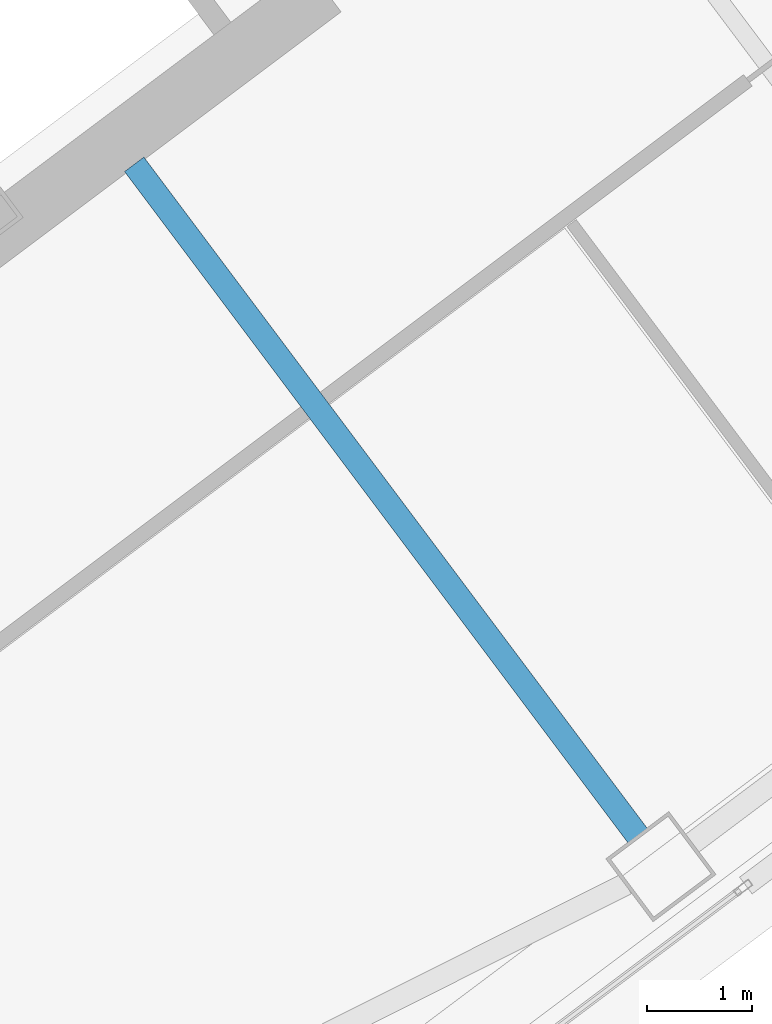
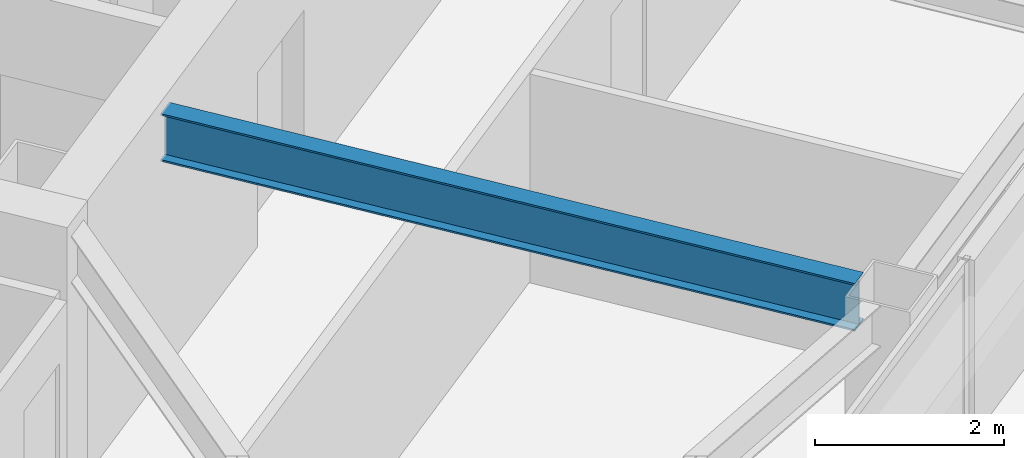
# One storey, part 20 of 43: 1 beam.
"""IFC4 building model written with IfcOpenShell, lengths in metres."""

import ifcopenshell
import ifcopenshell.guid

model = None  # the IFC model being written
_history = None  # IfcOwnerHistory: only IFC2X3 demands one
_inside = {}  # id of a spatial element -> (the spatial element, [elements in it])
_under = {}  # id of a project, library or spatial element -> (it, [spatial elements below it])
_declared = {}  # id of a project -> (the project, [libraries it declares])
_typed = {}  # id of a type object -> (the type object, [elements of that type])
_made_of = {}  # id of a material, layer set ... -> (it, [elements and type objects made of it])


def new_model(schema):
    """Start an empty IFC model of exactly this schema.

    Asked for "IFC4X3", IfcOpenShell would pick the latest addendum, in which some entities
    have other attributes; the version numbers below select the first issue.
    IFC2X3 requires an IfcOwnerHistory on every rooted entity: one is made here for all.
    """
    global model, _history
    if schema == "IFC4X3":
        model = ifcopenshell.file(schema_version=(4, 3, 0, 0))
    else:
        model = ifcopenshell.file(schema=schema)
    _inside.clear()
    _under.clear()
    _declared.clear()
    _typed.clear()
    _made_of.clear()
    _history = None
    if model.schema == "IFC2X3":
        org = make("IfcOrganization", Name="unknown")
        user = make(
            "IfcPersonAndOrganization",
            ThePerson=make("IfcPerson", FamilyName="unknown"),
            TheOrganization=org,
        )
        app = make(
            "IfcApplication",
            ApplicationDeveloper=org,
            Version="unknown",
            ApplicationFullName="unknown",
            ApplicationIdentifier="unknown",
        )
        _history = make(
            "IfcOwnerHistory",
            OwningUser=user,
            OwningApplication=app,
            ChangeAction="ADDED",
            CreationDate=0,
        )
    return model


def make(cls, **values):
    """One entity of the class cls with the attributes given. An attribute that is None is left unset."""
    return model.create_entity(
        cls, **{name: value for name, value in values.items() if value is not None}
    )


def rooted(cls, **values):
    """An entity with a GlobalId (a new one), such as an element, a storey or a relation."""
    return make(cls, GlobalId=ifcopenshell.guid.new(), OwnerHistory=_history, **values)


def si_unit(unit_type, name, prefix=None):
    """IfcSIUnit, for example si_unit("LENGTHUNIT", "METRE", prefix="MILLI")."""
    return make("IfcSIUnit", UnitType=unit_type, Prefix=prefix, Name=name)


def assignment(units):
    """IfcUnitAssignment: the units of a project."""
    return None if units is None else make("IfcUnitAssignment", Units=units)


def point(xyz):
    """IfcCartesianPoint."""
    return None if xyz is None else make("IfcCartesianPoint", Coordinates=xyz)


def direction(xyz):
    """IfcDirection."""
    return None if xyz is None else make("IfcDirection", DirectionRatios=xyz)


def frame(location, z_axis=None, x_axis=None):
    """IfcAxis2Placement3D, a coordinate frame: its origin and axes. An axis left out is left unset."""
    return make(
        "IfcAxis2Placement3D",
        Location=point(location),
        Axis=direction(z_axis),
        RefDirection=direction(x_axis),
    )


def frame_2d(location, x_axis=None):
    """IfcAxis2Placement2D, a coordinate frame in the plane: its origin and x axis."""
    return make(
        "IfcAxis2Placement2D", Location=point(location), RefDirection=direction(x_axis)
    )


def origin():
    """The frame at (0, 0, 0) with its axes left unset."""
    return frame((0.0, 0.0, 0.0))


def origin_2d():
    """The frame at (0, 0) in the plane with its x axis left unset."""
    return frame_2d((0.0, 0.0))


def place(relative_to, where):
    """IfcLocalPlacement: puts the frame where relative to a parent placement (None: the world)."""
    return make(
        "IfcLocalPlacement", PlacementRelTo=relative_to, RelativePlacement=where
    )


def context(
    kind, dimensions, precision=None, world=None, true_north=None, identifier=None
):
    """IfcGeometricRepresentationContext, for example the 3D "Model" context."""
    return make(
        "IfcGeometricRepresentationContext",
        ContextIdentifier=identifier,
        ContextType=kind,
        CoordinateSpaceDimension=dimensions,
        Precision=precision,
        WorldCoordinateSystem=world,
        TrueNorth=true_north,
    )


def subcontext(parent, identifier, kind, view, scale=None):
    """IfcGeometricRepresentationSubContext, for example "Body" below "Model"."""
    return make(
        "IfcGeometricRepresentationSubContext",
        ContextIdentifier=identifier,
        ContextType=kind,
        ParentContext=parent,
        TargetScale=scale,
        TargetView=view,
    )


def project(units=None, contexts=None):
    """IfcProject with its units and contexts."""
    return rooted(
        "IfcProject",
        Name="project",
        RepresentationContexts=contexts,
        UnitsInContext=assignment(units),
    )


def spatial(cls, under=None, at=None, **own):
    """A site, building, storey or space (cls), placed at a placement, below another one or the project."""
    s = rooted(cls, ObjectPlacement=at, **own)
    if under is not None:
        _under.setdefault(under.id(), (under, []))[1].append(s)
    return s


def profile(cls, at=None, kind="AREA", **sizes):
    """A parametric profile (cls). Its sizes go by their IFC names, for example OverallWidth=200.0."""
    return make(cls, ProfileType=kind, Position=at, **sizes)


def i_section(**sizes):
    """IfcIShapeProfileDef."""
    return profile("IfcIShapeProfileDef", **sizes)


def extrude(swept, where, along, depth):
    """IfcExtrudedAreaSolid: the profile swept, set in the frame where, extruded along a direction by depth."""
    return make(
        "IfcExtrudedAreaSolid",
        SweptArea=swept,
        Position=where,
        ExtrudedDirection=direction(along),
        Depth=depth,
    )


def shape(context_of_items, identifier, shape_type, items):
    """IfcShapeRepresentation: the items that make up one representation, for example the "Body"."""
    return make(
        "IfcShapeRepresentation",
        ContextOfItems=context_of_items,
        RepresentationIdentifier=identifier,
        RepresentationType=shape_type,
        Items=items,
    )


def material(Name=None, Category=None):
    """IfcMaterial."""
    return make("IfcMaterial", Name=Name, Category=Category)


def material_profile(
    of_material, cross_section, Name=None, Category=None, Priority=None
):
    """IfcMaterialProfile: a cross section and its material."""
    return make(
        "IfcMaterialProfile",
        Name=Name,
        Material=of_material,
        Profile=cross_section,
        Priority=Priority,
        Category=Category,
    )


def profile_set(profiles, Name=None, composite=None):
    """IfcMaterialProfileSet."""
    return make(
        "IfcMaterialProfileSet",
        Name=Name,
        MaterialProfiles=profiles,
        CompositeProfile=composite,
    )


def made_of(thing, what):
    """Note that an element or type object is made of a material, layer set ...; save() writes the relation."""
    if what is not None:
        _made_of.setdefault(what.id(), (what, []))[1].append(thing)
    return thing


def type_object(cls, material=None, **own):
    """A type object (cls), such as IfcWallType, which elements share."""
    return made_of(rooted(cls, **own), material)


def element(
    cls,
    number,
    at=None,
    inside=None,
    cuts=None,
    type_object=None,
    material=None,
    context=None,
    identifier="Body",
    shape_type=None,
    held_by="IfcProductDefinitionShape",
    body=None,
    shapes=None,
    **own,
):
    """One element of the class cls, such as IfcWall. Its Tag is "e" and its number.

    at: its placement. inside: the storey or other place that contains it. cuts: it is an
    opening in that element (IfcRelVoidsElement). A single representation is given by context,
    identifier, shape_type and body (its items); several are given by shapes. held_by: the class
    of the entity that holds the representations. save() writes the other relations.
    """
    e = rooted(cls, Tag="e%d" % number, ObjectPlacement=at, **own)
    if body is not None:
        shapes = [shape(context, identifier, shape_type, body)]
    if shapes is not None:
        e.Representation = make(held_by, Representations=shapes)
    if inside is not None:
        _inside.setdefault(inside.id(), (inside, []))[1].append(e)
    if cuts is not None:
        rooted(
            "IfcRelVoidsElement", RelatingBuildingElement=cuts, RelatedOpeningElement=e
        )
    if type_object is not None:
        _typed.setdefault(type_object.id(), (type_object, []))[1].append(e)
    return made_of(e, material)


def aggregate(whole, parts):
    """IfcRelAggregates: a whole, such as a stair, and the parts it consists of."""
    return rooted("IfcRelAggregates", RelatingObject=whole, RelatedObjects=parts)


def save(model, path):
    """Write the relations noted so far, then the file.

    IfcRelAggregates (storeys below a building ...), IfcRelContainedInSpatialStructure (elements
    in a storey), IfcRelDefinesByType, IfcRelAssociatesMaterial and IfcRelDeclares: one each for
    every whole, place, type object, material and project.
    """
    for whole, parts in _under.values():
        aggregate(whole, parts)
    for where, things in _inside.values():
        rooted(
            "IfcRelContainedInSpatialStructure",
            RelatedElements=things,
            RelatingStructure=where,
        )
    for kind, things in _typed.values():
        rooted("IfcRelDefinesByType", RelatedObjects=things, RelatingType=kind)
    for what, things in _made_of.values():
        rooted("IfcRelAssociatesMaterial", RelatedObjects=things, RelatingMaterial=what)
    for by, libraries in _declared.values():
        rooted("IfcRelDeclares", RelatingContext=by, RelatedDefinitions=libraries)
    model.write(path)


model = new_model("IFC4")

# Units and contexts
model_context = context("Model", 3, precision=1e-05, world=origin(), true_north=direction((0.0, 1.0)))
body_context = subcontext(model_context, "Body", "Model", "MODEL_VIEW")
ifc_project = project(units=[si_unit("LENGTHUNIT", "METRE"), si_unit("AREAUNIT", "SQUARE_METRE"), si_unit("VOLUMEUNIT", "CUBIC_METRE"), si_unit("PLANEANGLEUNIT", "RADIAN"), si_unit("MASSUNIT", "GRAM", prefix="KILO")], contexts=[model_context])

# Site, building, storey
site_placement = place(None, origin())
site = spatial("IfcSite", under=ifc_project, at=site_placement, CompositionType="ELEMENT")
building_placement = place(site_placement, origin())
building = spatial("IfcBuilding", under=site, at=building_placement, Name="Tashvorn Skyway Center", CompositionType="ELEMENT")
storey_placement = place(building_placement, frame((0.0, 0.0, 188.949951171875)))
storey = spatial("IfcBuildingStorey", under=building, at=storey_placement, Name="L51", CompositionType="ELEMENT", Elevation=188.949951171875)

# Beam
ifc_material = material(Name="Steel ASTM A992 Grade 50", Category="steel")
ifc_material_profile = material_profile(ifc_material, i_section(OverallWidth=0.22998046875, OverallDepth=0.616943359375, WebThickness=0.01318359375, FlangeThickness=0.022216796875, at=origin_2d()), Name="W24X94")
ifc_profile_set = profile_set([ifc_material_profile], Name="Steel ASTM A992 Grade 50")
beam_type = type_object("IfcBeamType", Name="BM-BEAM-W24X94", PredefinedType="BEAM", material=ifc_profile_set)
beam_placement = place(storey_placement, frame((119.14794921875, 16.135986328125, 3.0615234375), z_axis=(-0.60000976564, 0.799992675677, 0.0), x_axis=(-0.799992675677, -0.60000976564, 0.0)))
element("IfcBeam", 1, at=beam_placement, inside=storey, type_object=beam_type, Name="Tower 2 L51 Primary Floor Girder FC-S1", PredefinedType="BEAM", context=body_context, shape_type="SweptSolid", body=[
    extrude(i_section(OverallWidth=0.22998046875, OverallDepth=0.616943359375, WebThickness=0.01318359375, FlangeThickness=0.022216796875, at=origin_2d()), origin(), (0.0, 0.0, 1.0), 8.0),
])

save(model, "model.ifc")
